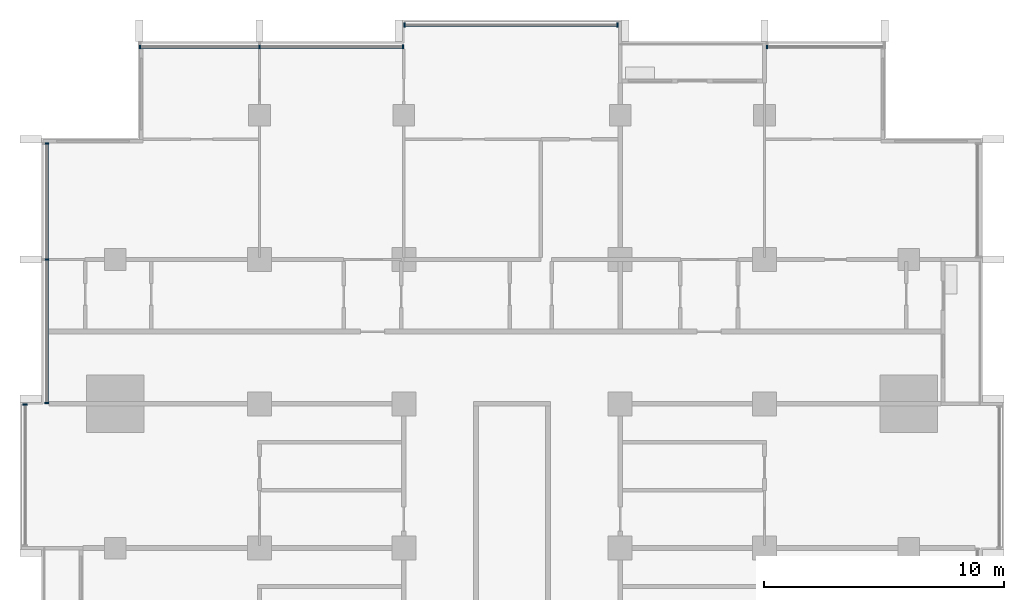
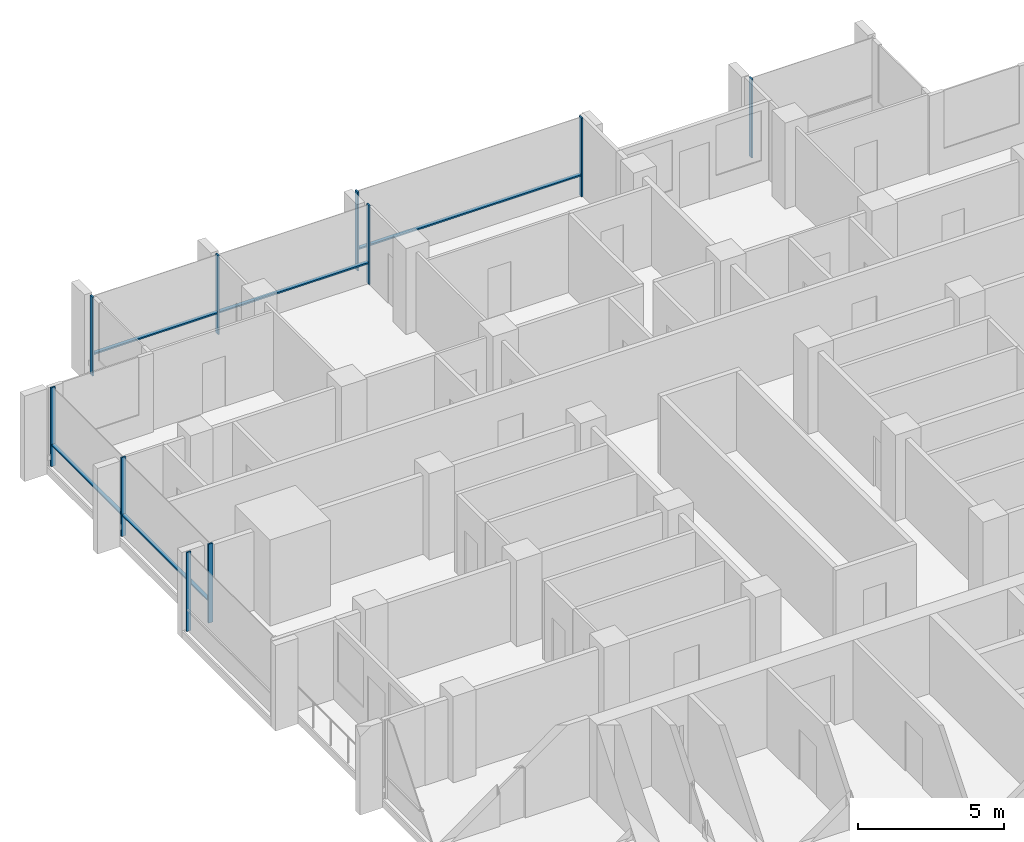
# One storey, part 4 of 16: 15 members, 5 elements without a shape of their own.
"""IFC4 building model written with IfcOpenShell, lengths in metres."""

from ifc_helpers import new_model, si_unit, direction, frame, origin, origin_2d, place, context, subcontext, project, spatial, rectangle, extrude, material, material_profile, profile_set, type_object, element, aggregate, save


model = new_model("IFC4")

# Units and contexts
model_context = context("Model", 3, precision=1e-05, world=origin(), true_north=direction((0.0, 1.0)))
body_context = subcontext(model_context, "Body", "Model", "MODEL_VIEW")
ifc_project = project(units=[si_unit("LENGTHUNIT", "METRE"), si_unit("AREAUNIT", "SQUARE_METRE"), si_unit("VOLUMEUNIT", "CUBIC_METRE"), si_unit("PLANEANGLEUNIT", "RADIAN"), si_unit("MASSUNIT", "GRAM", prefix="KILO")], contexts=[model_context])

# Site, building, storey
site_placement = place(None, origin())
site = spatial("IfcSite", under=ifc_project, at=site_placement, CompositionType="ELEMENT")
building_placement = place(site_placement, origin())
building = spatial("IfcBuilding", under=site, at=building_placement, Name="Finial Court Residences", CompositionType="ELEMENT")
storey_placement = place(building_placement, frame((0.0, 0.0, 178.10009765625)))
storey = spatial("IfcBuildingStorey", under=building, at=storey_placement, Name="L44", CompositionType="ELEMENT", Elevation=178.10009765625)

# Curtain wall, members
ifc_material = material(Name="Bronze anodised aluminium", Category="aluminium")
curtain_wall_type = type_object("IfcCurtainWallType", Name="Unitised curtain wall, upper zones", PredefinedType="NOTDEFINED", material=ifc_material)
curtain_wall_1_placement = place(storey_placement, origin())
curtain_wall_1 = element("IfcCurtainWall", 1, at=curtain_wall_1_placement, inside=storey, type_object=curtain_wall_type, Name="E-L44-CW-N1", PredefinedType="NOTDEFINED")
ifc_material_profile_1 = material_profile(ifc_material, rectangle(XDim=0.175048828125, YDim=0.06005859375, at=origin_2d()), Name="CW2 mullion 60 x 175")
ifc_profile_set_1 = profile_set([ifc_material_profile_1], Name="Bronze anodised aluminium")
member_type_1 = type_object("IfcMemberType", Name="CW2 mullion 60 x 175", PredefinedType="MULLION", material=ifc_profile_set_1)
member_1_placement = place(storey_placement, frame((-15.469970703125, 22.35009765625, 0.0), z_axis=(0.0, 0.0, 1.0), x_axis=(0.0, 1.0, 0.0)))
member_1 = element("IfcMember", 2, at=member_1_placement, type_object=member_type_1, Name="CW2 mullion 1", PredefinedType="MULLION", context=body_context, shape_type="SweptSolid", body=[
    extrude(rectangle(XDim=0.175048828125, YDim=0.06005859375, at=origin_2d()), origin(), (0.0, 0.0, 1.0), 3.2998046875),
])
member_2_placement = place(storey_placement, frame((-10.5, 22.35009765625, 0.0), z_axis=(0.0, 0.0, 1.0), x_axis=(0.0, 1.0, 0.0)))
member_2 = element("IfcMember", 3, at=member_2_placement, type_object=member_type_1, Name="CW2 mullion 2", PredefinedType="MULLION", context=body_context, shape_type="SweptSolid", body=[
    extrude(rectangle(XDim=0.175048828125, YDim=0.06005859375, at=origin_2d()), origin(), (0.0, 0.0, 1.0), 3.2998046875),
])
member_3_placement = place(storey_placement, frame((-4.530029296875, 22.35009765625, 0.0), z_axis=(0.0, 0.0, 1.0), x_axis=(0.0, 1.0, 0.0)))
member_3 = element("IfcMember", 4, at=member_3_placement, type_object=member_type_1, Name="CW2 mullion 3", PredefinedType="MULLION", context=body_context, shape_type="SweptSolid", body=[
    extrude(rectangle(XDim=0.175048828125, YDim=0.06005859375, at=origin_2d()), origin(), (0.0, 0.0, 1.0), 3.2998046875),
])

curtain_wall_2_placement = place(storey_placement, origin())
curtain_wall_2 = element("IfcCurtainWall", 5, at=curtain_wall_2_placement, inside=storey, type_object=curtain_wall_type, Name="E-L44-CW-N2", PredefinedType="NOTDEFINED")
member_4_placement = place(storey_placement, frame((-4.469970703125, 23.25, 0.0), z_axis=(0.0, 0.0, 1.0), x_axis=(0.0, 1.0, 0.0)))
member_4 = element("IfcMember", 6, at=member_4_placement, type_object=member_type_1, Name="CW2 mullion 1", PredefinedType="MULLION", context=body_context, shape_type="SweptSolid", body=[
    extrude(rectangle(XDim=0.175048828125, YDim=0.06005859375, at=origin_2d()), origin(), (0.0, 0.0, 1.0), 3.2998046875),
])
member_5_placement = place(storey_placement, frame((4.39501953125, 23.25, 0.0), z_axis=(0.0, 0.0, 1.0), x_axis=(0.0, 1.0, 0.0)))
member_5 = element("IfcMember", 7, at=member_5_placement, type_object=member_type_1, Name="CW2 mullion 2", PredefinedType="MULLION", context=body_context, shape_type="SweptSolid", body=[
    extrude(rectangle(XDim=0.175048828125, YDim=0.06005859375, at=origin_2d()), origin(), (0.0, 0.0, 1.0), 3.2998046875),
])

# Curtain wall, member
curtain_wall_3_placement = place(storey_placement, origin())
curtain_wall_3 = element("IfcCurtainWall", 8, at=curtain_wall_3_placement, inside=storey, type_object=curtain_wall_type, Name="E-L44-CW-N3", PredefinedType="NOTDEFINED")
member_6_placement = place(storey_placement, frame((10.60498046875, 22.35009765625, 0.0), z_axis=(0.0, 0.0, 1.0), x_axis=(0.0, 1.0, 0.0)))
member_6 = element("IfcMember", 9, at=member_6_placement, type_object=member_type_1, Name="CW2 mullion 1", PredefinedType="MULLION", context=body_context, shape_type="SweptSolid", body=[
    extrude(rectangle(XDim=0.175048828125, YDim=0.06005859375, at=origin_2d()), origin(), (0.0, 0.0, 1.0), 3.2998046875),
])
aggregate(curtain_wall_3, [member_6])

curtain_wall_4_placement = place(storey_placement, origin())
curtain_wall_4 = element("IfcCurtainWall", 10, at=curtain_wall_4_placement, inside=storey, type_object=curtain_wall_type, Name="E-L44-CW-W12", PredefinedType="NOTDEFINED")
member_7_placement = place(storey_placement, frame((-20.25, 7.469970703125, 0.0), z_axis=(0.0, 0.0, 1.0), x_axis=(-1.0, 0.0, 0.0)))
member_7 = element("IfcMember", 11, at=member_7_placement, type_object=member_type_1, Name="CW2 mullion 2", PredefinedType="MULLION", context=body_context, shape_type="SweptSolid", body=[
    extrude(rectangle(XDim=0.175048828125, YDim=0.06005859375, at=origin_2d()), origin(), (0.0, 0.0, 1.0), 3.2998046875),
])
aggregate(curtain_wall_4, [member_7])

# Curtain wall, members
curtain_wall_5_placement = place(storey_placement, origin())
curtain_wall_5 = element("IfcCurtainWall", 12, at=curtain_wall_5_placement, inside=storey, type_object=curtain_wall_type, Name="E-L44-CW-W13", PredefinedType="NOTDEFINED")
member_8_placement = place(storey_placement, frame((-19.35009765625, 7.530029296875, 0.0), z_axis=(0.0, 0.0, 1.0), x_axis=(-1.0, 0.0, 0.0)))
member_8 = element("IfcMember", 13, at=member_8_placement, type_object=member_type_1, Name="CW2 mullion 1", PredefinedType="MULLION", context=body_context, shape_type="SweptSolid", body=[
    extrude(rectangle(XDim=0.175048828125, YDim=0.06005859375, at=origin_2d()), origin(), (0.0, 0.0, 1.0), 3.2998046875),
])
member_9_placement = place(storey_placement, frame((-19.35009765625, 13.5, 0.0), z_axis=(0.0, 0.0, 1.0), x_axis=(-1.0, 0.0, 0.0)))
member_9 = element("IfcMember", 14, at=member_9_placement, type_object=member_type_1, Name="CW2 mullion 2", PredefinedType="MULLION", context=body_context, shape_type="SweptSolid", body=[
    extrude(rectangle(XDim=0.175048828125, YDim=0.06005859375, at=origin_2d()), origin(), (0.0, 0.0, 1.0), 3.2998046875),
])
member_10_placement = place(storey_placement, frame((-19.35009765625, 18.320068359375, 0.0), z_axis=(0.0, 0.0, 1.0), x_axis=(-1.0, 0.0, 0.0)))
member_10 = element("IfcMember", 15, at=member_10_placement, type_object=member_type_1, Name="CW2 mullion 3", PredefinedType="MULLION", context=body_context, shape_type="SweptSolid", body=[
    extrude(rectangle(XDim=0.175048828125, YDim=0.06005859375, at=origin_2d()), origin(), (0.0, 0.0, 1.0), 3.2998046875),
])

# Member
ifc_material_profile_2 = material_profile(ifc_material, rectangle(XDim=0.139892578125, YDim=0.06005859375, at=origin_2d()), Name="CW2 transom 60 x 140")
ifc_profile_set_2 = profile_set([ifc_material_profile_2], Name="Bronze anodised aluminium")
member_type_2 = type_object("IfcMemberType", Name="CW2 transom 60 x 140", PredefinedType="USERDEFINED", material=ifc_profile_set_2)
member_11_placement = place(storey_placement, frame((-15.43994140625, 22.35009765625, 0.89990234375), z_axis=(1.0, 0.0, 0.0), x_axis=(0.0, 1.0, 0.0)))
member_11 = element("IfcMember", 16, at=member_11_placement, type_object=member_type_2, Name="CW2 transom 1.1", ObjectType="TRANSOM", PredefinedType="USERDEFINED", context=body_context, shape_type="SweptSolid", body=[
    extrude(rectangle(XDim=0.139892578125, YDim=0.06005859375, at=origin_2d()), origin(), (0.0, 0.0, 1.0), 4.909912109375),
])

member_12_placement = place(storey_placement, frame((-10.469970703125, 22.35009765625, 0.89990234375), z_axis=(1.0, 0.0, 0.0), x_axis=(0.0, 1.0, 0.0)))
member_12 = element("IfcMember", 17, at=member_12_placement, type_object=member_type_2, Name="CW2 transom 2.1", ObjectType="TRANSOM", PredefinedType="USERDEFINED", context=body_context, shape_type="SweptSolid", body=[
    extrude(rectangle(XDim=0.139892578125, YDim=0.06005859375, at=origin_2d()), origin(), (0.0, 0.0, 1.0), 5.909912109375),
])

aggregate(curtain_wall_1, [member_1, member_2, member_3, member_11, member_12])

member_13_placement = place(storey_placement, frame((-4.43994140625, 23.25, 0.89990234375), z_axis=(1.0, 0.0, 0.0), x_axis=(0.0, 1.0, 0.0)))
member_13 = element("IfcMember", 18, at=member_13_placement, type_object=member_type_2, Name="CW2 transom 1.1", ObjectType="TRANSOM", PredefinedType="USERDEFINED", context=body_context, shape_type="SweptSolid", body=[
    extrude(rectangle(XDim=0.139892578125, YDim=0.06005859375, at=origin_2d()), origin(), (0.0, 0.0, 1.0), 8.804931640625),
])

aggregate(curtain_wall_2, [member_4, member_5, member_13])

member_14_placement = place(storey_placement, frame((-19.35009765625, 7.56005859375, 0.89990234375), z_axis=(0.0, 1.0, 0.0), x_axis=(-1.0, 0.0, 0.0)))
member_14 = element("IfcMember", 19, at=member_14_placement, type_object=member_type_2, Name="CW2 transom 1.1", ObjectType="TRANSOM", PredefinedType="USERDEFINED", context=body_context, shape_type="SweptSolid", body=[
    extrude(rectangle(XDim=0.139892578125, YDim=0.06005859375, at=origin_2d()), origin(), (0.0, 0.0, 1.0), 5.909912109375),
])

member_15_placement = place(storey_placement, frame((-19.35009765625, 13.530029296875, 0.89990234375), z_axis=(0.0, 1.0, 0.0), x_axis=(-1.0, 0.0, 0.0)))
member_15 = element("IfcMember", 20, at=member_15_placement, type_object=member_type_2, Name="CW2 transom 2.1", ObjectType="TRANSOM", PredefinedType="USERDEFINED", context=body_context, shape_type="SweptSolid", body=[
    extrude(rectangle(XDim=0.139892578125, YDim=0.06005859375, at=origin_2d()), origin(), (0.0, 0.0, 1.0), 4.760009765625),
])

aggregate(curtain_wall_5, [member_8, member_9, member_10, member_14, member_15])

save(model, "model.ifc")
